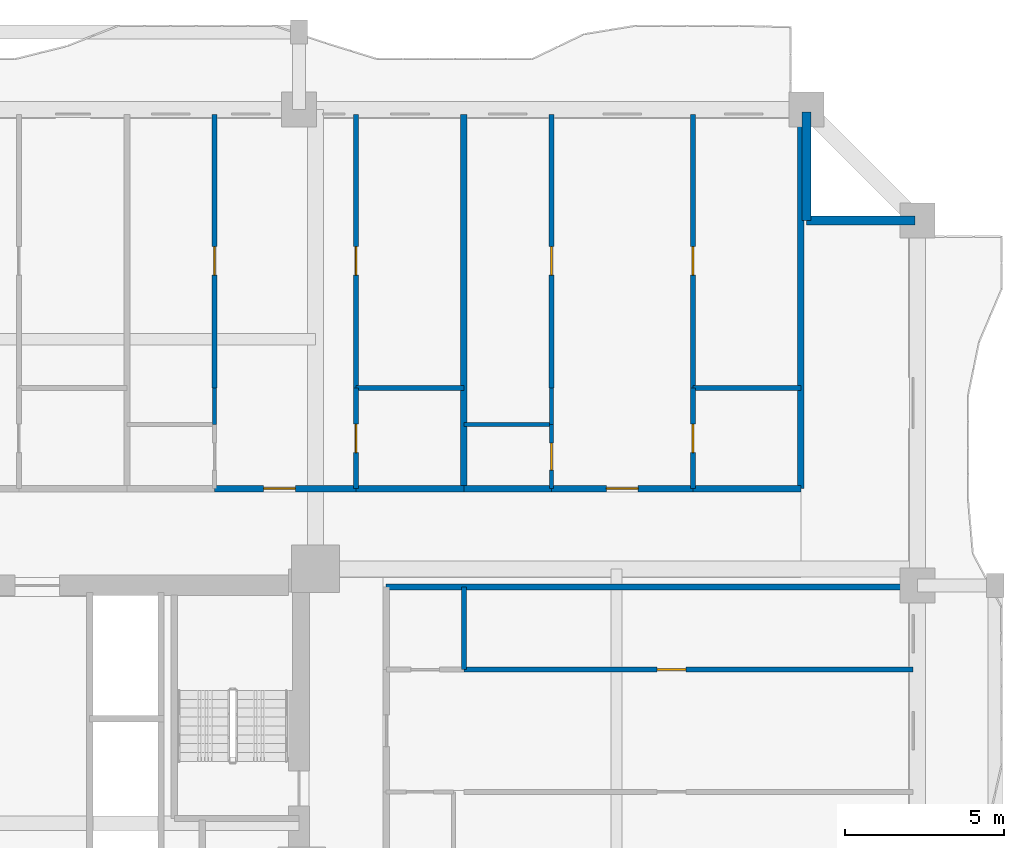
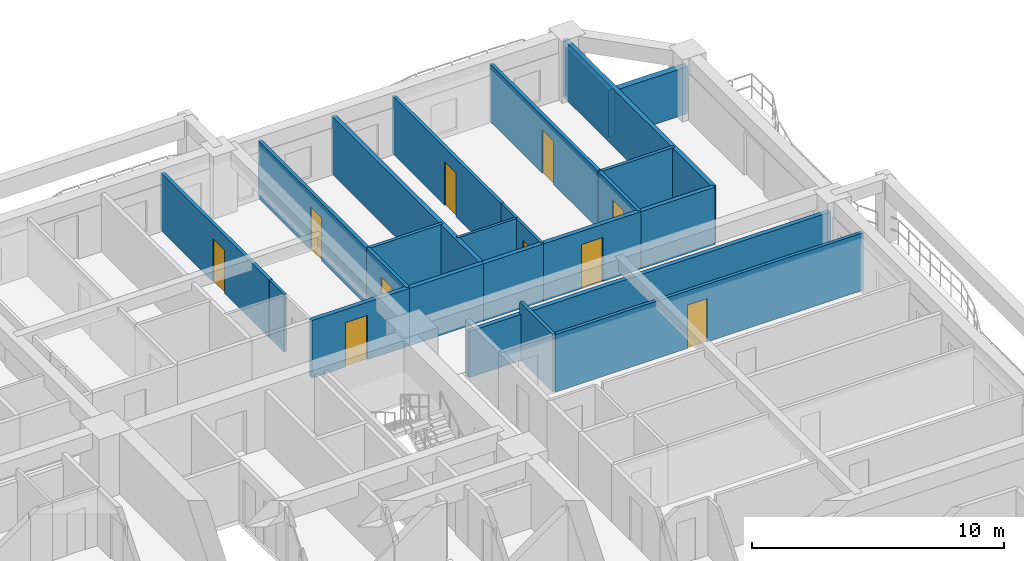
# One storey, part 8 of 16: 24 walls, 10 doors, 10 openings.
"""IFC4 building model written with IfcOpenShell, lengths in metres."""

import ifcopenshell
import ifcopenshell.guid

model = None  # the IFC model being written
_history = None  # IfcOwnerHistory: only IFC2X3 demands one
_inside = {}  # id of a spatial element -> (the spatial element, [elements in it])
_under = {}  # id of a project, library or spatial element -> (it, [spatial elements below it])
_declared = {}  # id of a project -> (the project, [libraries it declares])
_typed = {}  # id of a type object -> (the type object, [elements of that type])
_made_of = {}  # id of a material, layer set ... -> (it, [elements and type objects made of it])


def new_model(schema):
    """Start an empty IFC model of exactly this schema.

    Asked for "IFC4X3", IfcOpenShell would pick the latest addendum, in which some entities
    have other attributes; the version numbers below select the first issue.
    IFC2X3 requires an IfcOwnerHistory on every rooted entity: one is made here for all.
    """
    global model, _history
    if schema == "IFC4X3":
        model = ifcopenshell.file(schema_version=(4, 3, 0, 0))
    else:
        model = ifcopenshell.file(schema=schema)
    _inside.clear()
    _under.clear()
    _declared.clear()
    _typed.clear()
    _made_of.clear()
    _history = None
    if model.schema == "IFC2X3":
        org = make("IfcOrganization", Name="unknown")
        user = make(
            "IfcPersonAndOrganization",
            ThePerson=make("IfcPerson", FamilyName="unknown"),
            TheOrganization=org,
        )
        app = make(
            "IfcApplication",
            ApplicationDeveloper=org,
            Version="unknown",
            ApplicationFullName="unknown",
            ApplicationIdentifier="unknown",
        )
        _history = make(
            "IfcOwnerHistory",
            OwningUser=user,
            OwningApplication=app,
            ChangeAction="ADDED",
            CreationDate=0,
        )
    return model


def make(cls, **values):
    """One entity of the class cls with the attributes given. An attribute that is None is left unset."""
    return model.create_entity(
        cls, **{name: value for name, value in values.items() if value is not None}
    )


def rooted(cls, **values):
    """An entity with a GlobalId (a new one), such as an element, a storey or a relation."""
    return make(cls, GlobalId=ifcopenshell.guid.new(), OwnerHistory=_history, **values)


def si_unit(unit_type, name, prefix=None):
    """IfcSIUnit, for example si_unit("LENGTHUNIT", "METRE", prefix="MILLI")."""
    return make("IfcSIUnit", UnitType=unit_type, Prefix=prefix, Name=name)


def assignment(units):
    """IfcUnitAssignment: the units of a project."""
    return None if units is None else make("IfcUnitAssignment", Units=units)


def point(xyz):
    """IfcCartesianPoint."""
    return None if xyz is None else make("IfcCartesianPoint", Coordinates=xyz)


def direction(xyz):
    """IfcDirection."""
    return None if xyz is None else make("IfcDirection", DirectionRatios=xyz)


def frame(location, z_axis=None, x_axis=None):
    """IfcAxis2Placement3D, a coordinate frame: its origin and axes. An axis left out is left unset."""
    return make(
        "IfcAxis2Placement3D",
        Location=point(location),
        Axis=direction(z_axis),
        RefDirection=direction(x_axis),
    )


def frame_2d(location, x_axis=None):
    """IfcAxis2Placement2D, a coordinate frame in the plane: its origin and x axis."""
    return make(
        "IfcAxis2Placement2D", Location=point(location), RefDirection=direction(x_axis)
    )


def origin():
    """The frame at (0, 0, 0) with its axes left unset."""
    return frame((0.0, 0.0, 0.0))


def place(relative_to, where):
    """IfcLocalPlacement: puts the frame where relative to a parent placement (None: the world)."""
    return make(
        "IfcLocalPlacement", PlacementRelTo=relative_to, RelativePlacement=where
    )


def context(
    kind, dimensions, precision=None, world=None, true_north=None, identifier=None
):
    """IfcGeometricRepresentationContext, for example the 3D "Model" context."""
    return make(
        "IfcGeometricRepresentationContext",
        ContextIdentifier=identifier,
        ContextType=kind,
        CoordinateSpaceDimension=dimensions,
        Precision=precision,
        WorldCoordinateSystem=world,
        TrueNorth=true_north,
    )


def subcontext(parent, identifier, kind, view, scale=None):
    """IfcGeometricRepresentationSubContext, for example "Body" below "Model"."""
    return make(
        "IfcGeometricRepresentationSubContext",
        ContextIdentifier=identifier,
        ContextType=kind,
        ParentContext=parent,
        TargetScale=scale,
        TargetView=view,
    )


def project(units=None, contexts=None):
    """IfcProject with its units and contexts."""
    return rooted(
        "IfcProject",
        Name="project",
        RepresentationContexts=contexts,
        UnitsInContext=assignment(units),
    )


def spatial(cls, under=None, at=None, **own):
    """A site, building, storey or space (cls), placed at a placement, below another one or the project."""
    s = rooted(cls, ObjectPlacement=at, **own)
    if under is not None:
        _under.setdefault(under.id(), (under, []))[1].append(s)
    return s


def profile(cls, at=None, kind="AREA", **sizes):
    """A parametric profile (cls). Its sizes go by their IFC names, for example OverallWidth=200.0."""
    return make(cls, ProfileType=kind, Position=at, **sizes)


def rectangle(**sizes):
    """IfcRectangleProfileDef."""
    return profile("IfcRectangleProfileDef", **sizes)


def extrude(swept, where, along, depth):
    """IfcExtrudedAreaSolid: the profile swept, set in the frame where, extruded along a direction by depth."""
    return make(
        "IfcExtrudedAreaSolid",
        SweptArea=swept,
        Position=where,
        ExtrudedDirection=direction(along),
        Depth=depth,
    )


def shape(context_of_items, identifier, shape_type, items):
    """IfcShapeRepresentation: the items that make up one representation, for example the "Body"."""
    return make(
        "IfcShapeRepresentation",
        ContextOfItems=context_of_items,
        RepresentationIdentifier=identifier,
        RepresentationType=shape_type,
        Items=items,
    )


def source(mapping_origin, context_of_items, identifier, shape_type, items):
    """IfcRepresentationMap: a shape defined once, which mapped items show again and again."""
    return make(
        "IfcRepresentationMap",
        MappingOrigin=mapping_origin,
        MappedRepresentation=shape(context_of_items, identifier, shape_type, items),
    )


def transform(
    local_origin,
    x_axis=None,
    y_axis=None,
    z_axis=None,
    scale=None,
    scale2=None,
    scale3=None,
    uniform=True,
):
    """IfcCartesianTransformationOperator3D, or its non-uniform kind. x_axis, y_axis, z_axis: its Axis1, 2, 3."""
    if uniform:
        return make(
            "IfcCartesianTransformationOperator3D",
            Axis1=direction(x_axis),
            Axis2=direction(y_axis),
            LocalOrigin=point(local_origin),
            Scale=scale,
            Axis3=direction(z_axis),
        )
    return make(
        "IfcCartesianTransformationOperator3DnonUniform",
        Axis1=direction(x_axis),
        Axis2=direction(y_axis),
        LocalOrigin=point(local_origin),
        Scale=scale,
        Axis3=direction(z_axis),
        Scale2=scale2,
        Scale3=scale3,
    )


def mapped(mapping_source, mapping_target):
    """IfcMappedItem: shows the shape of a source again, moved by a transform."""
    return make(
        "IfcMappedItem", MappingSource=mapping_source, MappingTarget=mapping_target
    )


def material(Name=None, Category=None):
    """IfcMaterial."""
    return make("IfcMaterial", Name=Name, Category=Category)


def layer(
    of_material, thickness, ventilated=None, Name=None, Category=None, Priority=None
):
    """IfcMaterialLayer: one layer of a wall or slab, of a material (None: an air gap)."""
    return make(
        "IfcMaterialLayer",
        Material=of_material,
        LayerThickness=thickness,
        IsVentilated=ventilated,
        Name=Name,
        Category=Category,
        Priority=Priority,
    )


def layer_set(layers, Name=None):
    """IfcMaterialLayerSet."""
    return make("IfcMaterialLayerSet", MaterialLayers=layers, LayerSetName=Name)


def made_of(thing, what):
    """Note that an element or type object is made of a material, layer set ...; save() writes the relation."""
    if what is not None:
        _made_of.setdefault(what.id(), (what, []))[1].append(thing)
    return thing


def type_object(cls, material=None, **own):
    """A type object (cls), such as IfcWallType, which elements share."""
    return made_of(rooted(cls, **own), material)


def element(
    cls,
    number,
    at=None,
    inside=None,
    cuts=None,
    type_object=None,
    material=None,
    context=None,
    identifier="Body",
    shape_type=None,
    held_by="IfcProductDefinitionShape",
    body=None,
    shapes=None,
    **own,
):
    """One element of the class cls, such as IfcWall. Its Tag is "e" and its number.

    at: its placement. inside: the storey or other place that contains it. cuts: it is an
    opening in that element (IfcRelVoidsElement). A single representation is given by context,
    identifier, shape_type and body (its items); several are given by shapes. held_by: the class
    of the entity that holds the representations. save() writes the other relations.
    """
    e = rooted(cls, Tag="e%d" % number, ObjectPlacement=at, **own)
    if body is not None:
        shapes = [shape(context, identifier, shape_type, body)]
    if shapes is not None:
        e.Representation = make(held_by, Representations=shapes)
    if inside is not None:
        _inside.setdefault(inside.id(), (inside, []))[1].append(e)
    if cuts is not None:
        rooted(
            "IfcRelVoidsElement", RelatingBuildingElement=cuts, RelatedOpeningElement=e
        )
    if type_object is not None:
        _typed.setdefault(type_object.id(), (type_object, []))[1].append(e)
    return made_of(e, material)


def fill(opening, filler):
    """IfcRelFillsElement: the door or window that sits in an opening."""
    return rooted(
        "IfcRelFillsElement",
        RelatingOpeningElement=opening,
        RelatedBuildingElement=filler,
    )


def aggregate(whole, parts):
    """IfcRelAggregates: a whole, such as a stair, and the parts it consists of."""
    return rooted("IfcRelAggregates", RelatingObject=whole, RelatedObjects=parts)


def save(model, path):
    """Write the relations noted so far, then the file.

    IfcRelAggregates (storeys below a building ...), IfcRelContainedInSpatialStructure (elements
    in a storey), IfcRelDefinesByType, IfcRelAssociatesMaterial and IfcRelDeclares: one each for
    every whole, place, type object, material and project.
    """
    for whole, parts in _under.values():
        aggregate(whole, parts)
    for where, things in _inside.values():
        rooted(
            "IfcRelContainedInSpatialStructure",
            RelatedElements=things,
            RelatingStructure=where,
        )
    for kind, things in _typed.values():
        rooted("IfcRelDefinesByType", RelatedObjects=things, RelatingType=kind)
    for what, things in _made_of.values():
        rooted("IfcRelAssociatesMaterial", RelatedObjects=things, RelatingMaterial=what)
    for by, libraries in _declared.values():
        rooted("IfcRelDeclares", RelatingContext=by, RelatedDefinitions=libraries)
    model.write(path)


model = new_model("IFC4")

# Units and contexts
model_context = context("Model", 3, precision=1e-05, world=origin(), true_north=direction((0.0, 1.0)))
body_context = subcontext(model_context, "Body", "Model", "MODEL_VIEW")
ifc_project = project(units=[si_unit("LENGTHUNIT", "METRE"), si_unit("AREAUNIT", "SQUARE_METRE"), si_unit("VOLUMEUNIT", "CUBIC_METRE"), si_unit("PLANEANGLEUNIT", "RADIAN"), si_unit("MASSUNIT", "GRAM", prefix="KILO")], contexts=[model_context])

# Site, building, storey
site_placement = place(None, origin())
site = spatial("IfcSite", under=ifc_project, at=site_placement, CompositionType="ELEMENT")
building_placement = place(site_placement, origin())
building = spatial("IfcBuilding", under=site, at=building_placement, Name="Saelheon Loggia Tower", CompositionType="ELEMENT")
storey_placement = place(building_placement, frame((0.0, 0.0, 31.39990234375)))
storey = spatial("IfcBuildingStorey", under=building, at=storey_placement, Name="L09", CompositionType="ELEMENT", Elevation=31.39990234375)

# Walls
ifc_material_1 = material(Name="Architectural Precast Concrete C40/50", Category="concrete")
ifc_layer_1 = layer(ifc_material_1, 0.280029296875)
ifc_layer_set_1 = layer_set([ifc_layer_1], Name="Architectural Precast Concrete C40/50")
wall_type_1 = type_object("IfcWallType", Name="Wall_Ext_Loggia_280", PredefinedType="SOLIDWALL", material=ifc_layer_set_1)
for number, where, z_axis, x_axis, name in (
    (1, (60.5, 47.5, 0.0), (0.0, 0.0, 1.0), (0.0, 1.0, 0.0), "L09 Corner Notch Precast Wall NE1"),
    (2, (60.5, 47.5, 0.0), (0.0, 0.0, 1.0), (1.0, 0.0, 0.0), "L09 Corner Notch Precast Wall NE2"),
):
    element("IfcWall", number, at=place(storey_placement, frame(where, z_axis=z_axis, x_axis=x_axis)), inside=storey, type_object=wall_type_1, Name=name, PredefinedType="SOLIDWALL", context=body_context, shape_type="SweptSolid", body=[
        extrude(rectangle(XDim=3.419921875, YDim=0.280029296875, at=frame_2d((1.7099609375, 0.0))), origin(), (0.0, 0.0, 1.0), 2.280029296875),
    ])
ifc_material_2 = material(Name="Lightweight Autoclaved Aerated Concrete Block and Acoustic Gypsum", Category="concrete")
ifc_layer_2 = layer(ifc_material_2, 0.14990234375)
ifc_layer_set_2 = layer_set([ifc_layer_2], Name="Lightweight Autoclaved Aerated Concrete Block and Acoustic Gypsum")
wall_type_2 = type_object("IfcWallType", Name="Wall_Part_150", PredefinedType="PARTITIONING", material=ifc_layer_set_2)
wall_1_placement = place(storey_placement, frame((46.29833984375, 42.219970703125, 0.0), z_axis=(0.0, 0.0, 1.0), x_axis=(1.0, 0.0, 0.0)))
element("IfcWall", 3, at=wall_1_placement, inside=storey, type_object=wall_type_2, Name="L09 N Partition V31", PredefinedType="PARTITIONING", context=body_context, shape_type="SweptSolid", body=[
    extrude(rectangle(XDim=3.399169921875, YDim=0.14990234375, at=frame_2d((1.69970703125, 0.0))), origin(), (0.0, 0.0, 1.0), 2.7900390625),
])

# Wall, opening, door
wall_2_placement = place(storey_placement, frame((41.8369140625, 42.219970703125, 0.0), z_axis=(0.0, 0.0, 1.0), x_axis=(0.0, 1.0, 0.0)))
wall_2 = element("IfcWall", 4, at=wall_2_placement, inside=storey, type_object=wall_type_2, Name="L09 N Partition U34", PredefinedType="PARTITIONING", context=body_context, shape_type="SweptSolid", body=[
    extrude(rectangle(XDim=8.630126953125, YDim=0.14990234375, at=frame_2d((4.31494140625, 0.0))), origin(), (0.0, 0.0, 1.0), 2.7900390625),
])
opening_1_placement = place(wall_2_placement, frame((3.56298828125, 0.0, 0.0)))
opening_1 = element("IfcOpeningElement", 5, at=opening_1_placement, cuts=wall_2, Name="Opening D-IN2", PredefinedType="OPENING", context=body_context, shape_type="SweptSolid", body=[
    extrude(rectangle(XDim=0.89990234375, YDim=2.10009765625, at=frame_2d((0.449951171875, 1.050048828125))), frame((0.0, 0.0869140625, 0.0), z_axis=(0.0, -1.0, 0.0), x_axis=(1.0, 0.0, 0.0)), (0.0, 0.0, 1.0), 0.173828125),
])
ifc_material_3 = material(Name="Engineered Oak Flush Door", Category="timber")
door_type_1 = type_object("IfcDoorType", Name="Door_Int_900", OperationType="NOTDEFINED", PredefinedType="DOOR", material=ifc_material_3)
shared_shape_1 = source(origin(), body_context, "Body", "SweptSolid", [
    extrude(rectangle(XDim=0.89990234375, YDim=2.10009765625, at=frame_2d((0.449951171875, 1.050048828125))), frame((0.0, 0.02490234375, 0.0), z_axis=(0.0, -1.0, 0.0), x_axis=(1.0, 0.0, 0.0)), (0.0, 0.0, 1.0), 0.050048828125),
])
door_1_placement = place(opening_1_placement, origin())
door_1 = element("IfcDoor", 6, at=door_1_placement, inside=storey, type_object=door_type_1, Name="Unit U07 Bedroom 2 Door", OperationType="SINGLE_SWING_LEFT", OverallHeight=2.10009765625, OverallWidth=0.89990234375, PredefinedType="DOOR", context=body_context, shape_type="MappedRepresentation", body=[
    mapped(shared_shape_1, transform((0.0, 0.0, 0.0), scale=1.0)),
])
fill(opening_1, door_1)

wall_3_placement = place(storey_placement, frame((46.29833984375, 39.050048828125, 0.0), z_axis=(0.0, 0.0, 1.0), x_axis=(0.0, 1.0, 0.0)))
wall_3 = element("IfcWall", 7, at=wall_3_placement, inside=storey, type_object=wall_type_2, Name="L09 N Partition U35", PredefinedType="PARTITIONING", context=body_context, shape_type="SweptSolid", body=[
    extrude(rectangle(XDim=3.169921875, YDim=0.14990234375, at=frame_2d((1.5849609375, 0.0))), origin(), (0.0, 0.0, 1.0), 2.7900390625),
])
opening_2_placement = place(wall_3_placement, frame((1.135009765625, 0.0, 0.0)))
opening_2 = element("IfcOpeningElement", 8, at=opening_2_placement, cuts=wall_3, Name="Opening D-IN2", PredefinedType="OPENING", context=body_context, shape_type="SweptSolid", body=[
    extrude(rectangle(XDim=0.89990234375, YDim=2.10009765625, at=frame_2d((0.449951171875, 1.050048828125))), frame((0.0, 0.0869140625, 0.0), z_axis=(0.0, -1.0, 0.0), x_axis=(1.0, 0.0, 0.0)), (0.0, 0.0, 1.0), 0.173828125),
])
door_2_placement = place(opening_2_placement, origin())
door_2 = element("IfcDoor", 9, at=door_2_placement, inside=storey, type_object=door_type_1, Name="Unit U07 Kitchen Door", OperationType="SINGLE_SWING_RIGHT", OverallHeight=2.10009765625, OverallWidth=0.89990234375, PredefinedType="DOOR", context=body_context, shape_type="MappedRepresentation", body=[
    mapped(shared_shape_1, transform((0.0, 0.0, 0.0), scale=1.0)),
])
fill(opening_2, door_2)

wall_4_placement = place(storey_placement, frame((46.29833984375, 42.219970703125, 0.0), z_axis=(0.0, 0.0, 1.0), x_axis=(0.0, 1.0, 0.0)))
wall_4 = element("IfcWall", 10, at=wall_4_placement, inside=storey, type_object=wall_type_2, Name="L09 N Partition U36", PredefinedType="PARTITIONING", context=body_context, shape_type="SweptSolid", body=[
    extrude(rectangle(XDim=8.630126953125, YDim=0.14990234375, at=frame_2d((4.31494140625, 0.0))), origin(), (0.0, 0.0, 1.0), 2.7900390625),
])
opening_3_placement = place(wall_4_placement, frame((3.56298828125, 0.0, 0.0)))
opening_3 = element("IfcOpeningElement", 11, at=opening_3_placement, cuts=wall_4, Name="Opening D-IN2", PredefinedType="OPENING", context=body_context, shape_type="SweptSolid", body=[
    extrude(rectangle(XDim=0.89990234375, YDim=2.10009765625, at=frame_2d((0.449951171875, 1.050048828125))), frame((0.0, 0.0869140625, 0.0), z_axis=(0.0, -1.0, 0.0), x_axis=(1.0, 0.0, 0.0)), (0.0, 0.0, 1.0), 0.173828125),
])
door_3_placement = place(opening_3_placement, origin())
door_3 = element("IfcDoor", 12, at=door_3_placement, inside=storey, type_object=door_type_1, Name="Unit U07 Bedroom 1 Door", OperationType="SINGLE_SWING_LEFT", OverallHeight=2.10009765625, OverallWidth=0.89990234375, PredefinedType="DOOR", context=body_context, shape_type="MappedRepresentation", body=[
    mapped(shared_shape_1, transform((0.0, 0.0, 0.0), scale=1.0)),
])
fill(opening_3, door_3)

# Wall
wall_5_placement = place(storey_placement, frame((56.9208984375, 42.219970703125, 0.0), z_axis=(0.0, 0.0, 1.0), x_axis=(1.0, 0.0, 0.0)))
element("IfcWall", 13, at=wall_5_placement, inside=storey, type_object=wall_type_2, Name="L09 N Partition V42", PredefinedType="PARTITIONING", context=body_context, shape_type="SweptSolid", body=[
    extrude(rectangle(XDim=3.399169921875, YDim=0.14990234375, at=frame_2d((1.69970703125, 0.0))), origin(), (0.0, 0.0, 1.0), 2.7900390625),
])

# Wall, opening, door
wall_6_placement = place(storey_placement, frame((52.45947265625, 42.219970703125, 0.0), z_axis=(0.0, 0.0, 1.0), x_axis=(0.0, 1.0, 0.0)))
wall_6 = element("IfcWall", 14, at=wall_6_placement, inside=storey, type_object=wall_type_2, Name="L09 N Partition U45", PredefinedType="PARTITIONING", context=body_context, shape_type="SweptSolid", body=[
    extrude(rectangle(XDim=8.630126953125, YDim=0.14990234375, at=frame_2d((4.31494140625, 0.0))), origin(), (0.0, 0.0, 1.0), 2.7900390625),
])
opening_4_placement = place(wall_6_placement, frame((3.56298828125, 0.0, 0.0)))
opening_4 = element("IfcOpeningElement", 15, at=opening_4_placement, cuts=wall_6, Name="Opening D-IN2", PredefinedType="OPENING", context=body_context, shape_type="SweptSolid", body=[
    extrude(rectangle(XDim=0.89990234375, YDim=2.10009765625, at=frame_2d((0.449951171875, 1.050048828125))), frame((0.0, 0.0869140625, 0.0), z_axis=(0.0, -1.0, 0.0), x_axis=(1.0, 0.0, 0.0)), (0.0, 0.0, 1.0), 0.173828125),
])
door_4_placement = place(opening_4_placement, origin())
door_4 = element("IfcDoor", 16, at=door_4_placement, inside=storey, type_object=door_type_1, Name="Unit U08 Bedroom 2 Door", OperationType="SINGLE_SWING_RIGHT", OverallHeight=2.10009765625, OverallWidth=0.89990234375, PredefinedType="DOOR", context=body_context, shape_type="MappedRepresentation", body=[
    mapped(shared_shape_1, transform((0.0, 0.0, 0.0), scale=1.0)),
])
fill(opening_4, door_4)

wall_7_placement = place(storey_placement, frame((56.9208984375, 39.050048828125, 0.0), z_axis=(0.0, 0.0, 1.0), x_axis=(0.0, 1.0, 0.0)))
wall_7 = element("IfcWall", 17, at=wall_7_placement, inside=storey, type_object=wall_type_2, Name="L09 N Partition U46", PredefinedType="PARTITIONING", context=body_context, shape_type="SweptSolid", body=[
    extrude(rectangle(XDim=3.169921875, YDim=0.14990234375, at=frame_2d((1.5849609375, 0.0))), origin(), (0.0, 0.0, 1.0), 2.7900390625),
])
opening_5_placement = place(wall_7_placement, frame((1.135009765625, 0.0, 0.0)))
opening_5 = element("IfcOpeningElement", 18, at=opening_5_placement, cuts=wall_7, Name="Opening D-IN2", PredefinedType="OPENING", context=body_context, shape_type="SweptSolid", body=[
    extrude(rectangle(XDim=0.89990234375, YDim=2.10009765625, at=frame_2d((0.449951171875, 1.050048828125))), frame((0.0, 0.0869140625, 0.0), z_axis=(0.0, -1.0, 0.0), x_axis=(1.0, 0.0, 0.0)), (0.0, 0.0, 1.0), 0.173828125),
])
door_5_placement = place(opening_5_placement, origin())
door_5 = element("IfcDoor", 19, at=door_5_placement, inside=storey, type_object=door_type_1, Name="Unit U08 Kitchen Door", OperationType="SINGLE_SWING_LEFT", OverallHeight=2.10009765625, OverallWidth=0.89990234375, PredefinedType="DOOR", context=body_context, shape_type="MappedRepresentation", body=[
    mapped(shared_shape_1, transform((0.0, 0.0, 0.0), scale=1.0)),
])
fill(opening_5, door_5)

wall_8_placement = place(storey_placement, frame((56.9208984375, 42.219970703125, 0.0), z_axis=(0.0, 0.0, 1.0), x_axis=(0.0, 1.0, 0.0)))
wall_8 = element("IfcWall", 20, at=wall_8_placement, inside=storey, type_object=wall_type_2, Name="L09 N Partition U47", PredefinedType="PARTITIONING", context=body_context, shape_type="SweptSolid", body=[
    extrude(rectangle(XDim=8.630126953125, YDim=0.14990234375, at=frame_2d((4.31494140625, 0.0))), origin(), (0.0, 0.0, 1.0), 2.7900390625),
])
opening_6_placement = place(wall_8_placement, frame((3.56298828125, 0.0, 0.0)))
opening_6 = element("IfcOpeningElement", 21, at=opening_6_placement, cuts=wall_8, Name="Opening D-IN2", PredefinedType="OPENING", context=body_context, shape_type="SweptSolid", body=[
    extrude(rectangle(XDim=0.89990234375, YDim=2.10009765625, at=frame_2d((0.449951171875, 1.050048828125))), frame((0.0, 0.0869140625, 0.0), z_axis=(0.0, -1.0, 0.0), x_axis=(1.0, 0.0, 0.0)), (0.0, 0.0, 1.0), 0.173828125),
])
door_6_placement = place(opening_6_placement, origin())
door_6 = element("IfcDoor", 22, at=door_6_placement, inside=storey, type_object=door_type_1, Name="Unit U08 Bedroom 1 Door", OperationType="SINGLE_SWING_RIGHT", OverallHeight=2.10009765625, OverallWidth=0.89990234375, PredefinedType="DOOR", context=body_context, shape_type="MappedRepresentation", body=[
    mapped(shared_shape_1, transform((0.0, 0.0, 0.0), scale=1.0)),
])
fill(opening_6, door_6)

# Wall
wall_9_placement = place(storey_placement, frame((49.699951171875, 33.35009765625, 0.0), z_axis=(0.0, 0.0, 1.0), x_axis=(0.0, 1.0, 0.0)))
element("IfcWall", 23, at=wall_9_placement, inside=storey, type_object=wall_type_2, Name="L09 E Partition V17", PredefinedType="PARTITIONING", context=body_context, shape_type="SweptSolid", body=[
    extrude(rectangle(XDim=2.599853515625, YDim=0.14990234375, at=frame_2d((1.2998046875, 0.0))), origin(), (0.0, 0.0, 1.0), 2.7900390625),
])

# Wall, opening, door
wall_10_placement = place(storey_placement, frame((49.699951171875, 33.35009765625, 0.0), z_axis=(0.0, 0.0, 1.0), x_axis=(1.0, 0.0, 0.0)))
wall_10 = element("IfcWall", 24, at=wall_10_placement, inside=storey, type_object=wall_type_2, Name="L09 E Partition U21", PredefinedType="PARTITIONING", context=body_context, shape_type="SweptSolid", body=[
    extrude(rectangle(XDim=14.150146484375, YDim=0.14990234375, at=frame_2d((7.0751953125, 0.0))), origin(), (0.0, 0.0, 1.0), 2.7900390625),
])
opening_7_placement = place(wall_10_placement, frame((6.093017578125, 0.0, 0.0)))
opening_7 = element("IfcOpeningElement", 25, at=opening_7_placement, cuts=wall_10, Name="Opening D-IN2", PredefinedType="OPENING", context=body_context, shape_type="SweptSolid", body=[
    extrude(rectangle(XDim=0.89990234375, YDim=2.10009765625, at=frame_2d((0.449951171875, 1.050048828125))), frame((0.0, 0.0869140625, 0.0), z_axis=(0.0, -1.0, 0.0), x_axis=(1.0, 0.0, 0.0)), (0.0, 0.0, 1.0), 0.173828125),
])
door_7_placement = place(opening_7_placement, origin())
door_7 = element("IfcDoor", 26, at=door_7_placement, inside=storey, type_object=door_type_1, Name="Unit U13 Bedroom 1 Door", OperationType="SINGLE_SWING_LEFT", OverallHeight=2.10009765625, OverallWidth=0.89990234375, PredefinedType="DOOR", context=body_context, shape_type="MappedRepresentation", body=[
    mapped(shared_shape_1, transform((0.0, 0.0, 0.0), scale=1.0)),
])
fill(opening_7, door_7)

# Wall
ifc_material_4 = material(Name="Double Acoustic Stud and Fireboard Partition", Category="gypsum")
ifc_layer_3 = layer(ifc_material_4, 0.199951171875)
ifc_layer_set_3 = layer_set([ifc_layer_3], Name="Double Acoustic Stud and Fireboard Partition")
wall_type_3 = type_object("IfcWallType", Name="Wall_Party_200", PredefinedType="PARTITIONING", material=ifc_layer_set_3)
wall_11_placement = place(storey_placement, frame((60.320068359375, 39.050048828125, 0.0), z_axis=(0.0, 0.0, 1.0), x_axis=(0.0, 1.0, 0.0)))
element("IfcWall", 27, at=wall_11_placement, inside=storey, type_object=wall_type_3, Name="L09 N Partition U02", PredefinedType="PARTITIONING", context=body_context, shape_type="SweptSolid", body=[
    extrude(rectangle(XDim=11.800048828125, YDim=0.199951171875, at=frame_2d((5.89990234375, 0.0))), origin(), (0.0, 0.0, 1.0), 2.7900390625),
])

# Wall, opening, door
wall_12_placement = place(storey_placement, frame((41.8369140625, 39.050048828125, 0.0), z_axis=(0.0, 0.0, 1.0), x_axis=(1.0, 0.0, 0.0)))
wall_12 = element("IfcWall", 28, at=wall_12_placement, inside=storey, type_object=wall_type_3, Name="L09 N Partition V28", PredefinedType="PARTITIONING", context=body_context, shape_type="SweptSolid", body=[
    extrude(rectangle(XDim=4.46142578125, YDim=0.199951171875, at=frame_2d((2.230712890625, 0.0))), origin(), (0.0, 0.0, 1.0), 2.7900390625),
])
opening_8_placement = place(wall_12_placement, frame((1.546875, 0.0, 0.0)))
opening_8 = element("IfcOpeningElement", 29, at=opening_8_placement, cuts=wall_12, Name="Opening D-FD1", PredefinedType="OPENING", context=body_context, shape_type="SweptSolid", body=[
    extrude(rectangle(XDim=1.0, YDim=2.14990234375, at=frame_2d((0.5, 1.074951171875))), frame((0.0, 0.112060546875, 0.0), z_axis=(0.0, -1.0, 0.0), x_axis=(1.0, 0.0, 0.0)), (0.0, 0.0, 1.0), 0.223876953125),
])
ifc_material_5 = material(Name="Fire-Rated Engineered Timber Entrance Door", Category="wood")
door_type_2 = type_object("IfcDoorType", Name="Door_Flat_FD30S", OperationType="NOTDEFINED", PredefinedType="DOOR", material=ifc_material_5)
shared_shape_2 = source(origin(), body_context, "Body", "SweptSolid", [
    extrude(rectangle(XDim=1.0, YDim=2.14990234375, at=frame_2d((0.5, 1.074951171875))), frame((0.0, 0.02490234375, 0.0), z_axis=(0.0, -1.0, 0.0), x_axis=(1.0, 0.0, 0.0)), (0.0, 0.0, 1.0), 0.050048828125),
])
door_8_placement = place(opening_8_placement, origin())
door_8 = element("IfcDoor", 30, at=door_8_placement, inside=storey, type_object=door_type_2, Name="Unit U07 Entrance Door", OperationType="SINGLE_SWING_LEFT", OverallHeight=2.14990234375, OverallWidth=1.0, PredefinedType="DOOR", context=body_context, shape_type="MappedRepresentation", body=[
    mapped(shared_shape_2, transform((0.0, 0.0, 0.0), scale=1.0)),
])
fill(opening_8, door_8)

# Walls
wall_13_placement = place(storey_placement, frame((46.29833984375, 39.050048828125, 0.0), z_axis=(0.0, 0.0, 1.0), x_axis=(1.0, 0.0, 0.0)))
element("IfcWall", 31, at=wall_13_placement, inside=storey, type_object=wall_type_3, Name="L09 N Partition V29", PredefinedType="PARTITIONING", context=body_context, shape_type="SweptSolid", body=[
    extrude(rectangle(XDim=3.399169921875, YDim=0.199951171875, at=frame_2d((1.69970703125, 0.0))), origin(), (0.0, 0.0, 1.0), 2.7900390625),
])
wall_14_placement = place(storey_placement, frame((49.697509765625, 39.050048828125, 0.0), z_axis=(0.0, 0.0, 1.0), x_axis=(0.0, 1.0, 0.0)))
element("IfcWall", 32, at=wall_14_placement, inside=storey, type_object=wall_type_3, Name="L09 N Partition U37", PredefinedType="PARTITIONING", context=body_context, shape_type="SweptSolid", body=[
    extrude(rectangle(XDim=11.800048828125, YDim=0.199951171875, at=frame_2d((5.89990234375, 0.0))), origin(), (0.0, 0.0, 1.0), 2.7900390625),
])
wall_15_placement = place(storey_placement, frame((49.697509765625, 39.050048828125, 0.0), z_axis=(0.0, 0.0, 1.0), x_axis=(1.0, 0.0, 0.0)))
element("IfcWall", 33, at=wall_15_placement, inside=storey, type_object=wall_type_3, Name="L09 N Partition V38", PredefinedType="PARTITIONING", context=body_context, shape_type="SweptSolid", body=[
    extrude(rectangle(XDim=2.761962890625, YDim=0.199951171875, at=frame_2d((1.380859375, 0.0))), origin(), (0.0, 0.0, 1.0), 2.7900390625),
])

# Wall, opening, door
wall_16_placement = place(storey_placement, frame((52.45947265625, 39.050048828125, 0.0), z_axis=(0.0, 0.0, 1.0), x_axis=(1.0, 0.0, 0.0)))
wall_16 = element("IfcWall", 34, at=wall_16_placement, inside=storey, type_object=wall_type_3, Name="L09 N Partition V39", PredefinedType="PARTITIONING", context=body_context, shape_type="SweptSolid", body=[
    extrude(rectangle(XDim=4.46142578125, YDim=0.199951171875, at=frame_2d((2.230712890625, 0.0))), origin(), (0.0, 0.0, 1.0), 2.7900390625),
])
opening_9_placement = place(wall_16_placement, frame((1.730712890625, 0.0, 0.0)))
opening_9 = element("IfcOpeningElement", 35, at=opening_9_placement, cuts=wall_16, Name="Opening D-FD1", PredefinedType="OPENING", context=body_context, shape_type="SweptSolid", body=[
    extrude(rectangle(XDim=1.0, YDim=2.14990234375, at=frame_2d((0.5, 1.074951171875))), frame((0.0, 0.112060546875, 0.0), z_axis=(0.0, -1.0, 0.0), x_axis=(1.0, 0.0, 0.0)), (0.0, 0.0, 1.0), 0.223876953125),
])
door_9_placement = place(opening_9_placement, origin())
door_9 = element("IfcDoor", 36, at=door_9_placement, inside=storey, type_object=door_type_2, Name="Unit U08 Entrance Door", OperationType="SINGLE_SWING_RIGHT", OverallHeight=2.14990234375, OverallWidth=1.0, PredefinedType="DOOR", context=body_context, shape_type="MappedRepresentation", body=[
    mapped(shared_shape_2, transform((0.0, 0.0, 0.0), scale=1.0)),
])
fill(opening_9, door_9)

# Walls
wall_17_placement = place(storey_placement, frame((56.9208984375, 39.050048828125, 0.0), z_axis=(0.0, 0.0, 1.0), x_axis=(1.0, 0.0, 0.0)))
element("IfcWall", 37, at=wall_17_placement, inside=storey, type_object=wall_type_3, Name="L09 N Partition V40", PredefinedType="PARTITIONING", context=body_context, shape_type="SweptSolid", body=[
    extrude(rectangle(XDim=3.399169921875, YDim=0.199951171875, at=frame_2d((1.69970703125, 0.0))), origin(), (0.0, 0.0, 1.0), 2.7900390625),
])
wall_18_placement = place(storey_placement, frame((47.25, 35.949951171875, 0.0), z_axis=(0.0, 0.0, 1.0), x_axis=(1.0, 0.0, 0.0)))
element("IfcWall", 38, at=wall_18_placement, inside=storey, type_object=wall_type_3, Name="L09 E Partition U02", PredefinedType="PARTITIONING", context=body_context, shape_type="SweptSolid", body=[
    extrude(rectangle(XDim=16.60009765625, YDim=0.199951171875, at=frame_2d((8.300048828125, 0.0))), origin(), (0.0, 0.0, 1.0), 2.239990234375),
])
ifc_material_6 = material(Name="Moisture-Resistant Cement Board Partition", Category="gypsum")
ifc_layer_4 = layer(ifc_material_6, 0.1201171875)
ifc_layer_set_4 = layer_set([ifc_layer_4], Name="Moisture-Resistant Cement Board Partition")
wall_type_4 = type_object("IfcWallType", Name="Wall_WetPart_120", PredefinedType="PARTITIONING", material=ifc_layer_set_4)
wall_19_placement = place(storey_placement, frame((41.8369140625, 41.070068359375, 0.0), z_axis=(0.0, 0.0, 1.0), x_axis=(0.0, 1.0, 0.0)))
element("IfcWall", 39, at=wall_19_placement, inside=storey, type_object=wall_type_4, Name="L09 N Partition U33", PredefinedType="PARTITIONING", context=body_context, shape_type="SweptSolid", body=[
    extrude(rectangle(XDim=1.14990234375, YDim=0.1201171875, at=frame_2d((0.574951171875, 0.0))), origin(), (0.0, 0.0, 1.0), 2.7900390625),
])
wall_20_placement = place(storey_placement, frame((49.697509765625, 41.070068359375, 0.0), z_axis=(0.0, 0.0, 1.0), x_axis=(1.0, 0.0, 0.0)))
element("IfcWall", 40, at=wall_20_placement, inside=storey, type_object=wall_type_4, Name="L09 N Partition V41", PredefinedType="PARTITIONING", context=body_context, shape_type="SweptSolid", body=[
    extrude(rectangle(XDim=2.761962890625, YDim=0.1201171875, at=frame_2d((1.380859375, 0.0))), origin(), (0.0, 0.0, 1.0), 2.7900390625),
])

# Wall, opening, door
wall_21_placement = place(storey_placement, frame((52.45947265625, 39.050048828125, 0.0), z_axis=(0.0, 0.0, 1.0), x_axis=(0.0, 1.0, 0.0)))
wall_21 = element("IfcWall", 41, at=wall_21_placement, inside=storey, type_object=wall_type_4, Name="L09 N Partition U43", PredefinedType="PARTITIONING", context=body_context, shape_type="SweptSolid", body=[
    extrude(rectangle(XDim=2.02001953125, YDim=0.1201171875, at=frame_2d((1.010009765625, 0.0))), origin(), (0.0, 0.0, 1.0), 2.7900390625),
])
opening_10_placement = place(wall_21_placement, frame((0.5849609375, 0.0, 0.0)))
opening_10 = element("IfcOpeningElement", 42, at=opening_10_placement, cuts=wall_21, Name="Opening D-BT1", PredefinedType="OPENING", context=body_context, shape_type="SweptSolid", body=[
    extrude(rectangle(XDim=0.85009765625, YDim=2.050048828125, at=frame_2d((0.425048828125, 1.02490234375))), frame((0.0, 0.072021484375, 0.0), z_axis=(0.0, -1.0, 0.0), x_axis=(1.0, 0.0, 0.0)), (0.0, 0.0, 1.0), 0.14404296875),
])
ifc_material_7 = material(Name="Moisture-Resistant Laminate Timber Door", Category="wood")
door_type_3 = type_object("IfcDoorType", Name="Door_Bath_850", OperationType="NOTDEFINED", PredefinedType="DOOR", material=ifc_material_7)
shared_shape_3 = source(origin(), body_context, "Body", "SweptSolid", [
    extrude(rectangle(XDim=0.85009765625, YDim=2.050048828125, at=frame_2d((0.425048828125, 1.02490234375))), frame((0.0, 0.02490234375, 0.0), z_axis=(0.0, -1.0, 0.0), x_axis=(1.0, 0.0, 0.0)), (0.0, 0.0, 1.0), 0.050048828125),
])
door_10_placement = place(opening_10_placement, origin())
door_10 = element("IfcDoor", 43, at=door_10_placement, inside=storey, type_object=door_type_3, Name="Unit U08 Bathroom Door", OperationType="SINGLE_SWING_LEFT", OverallHeight=2.050048828125, OverallWidth=0.85009765625, PredefinedType="DOOR", context=body_context, shape_type="MappedRepresentation", body=[
    mapped(shared_shape_3, transform((0.0, 0.0, 0.0), scale=1.0)),
])
fill(opening_10, door_10)

# Wall
wall_22_placement = place(storey_placement, frame((52.45947265625, 41.070068359375, 0.0), z_axis=(0.0, 0.0, 1.0), x_axis=(0.0, 1.0, 0.0)))
element("IfcWall", 44, at=wall_22_placement, inside=storey, type_object=wall_type_4, Name="L09 N Partition U44", PredefinedType="PARTITIONING", context=body_context, shape_type="SweptSolid", body=[
    extrude(rectangle(XDim=1.14990234375, YDim=0.1201171875, at=frame_2d((0.574951171875, 0.0))), origin(), (0.0, 0.0, 1.0), 2.7900390625),
])

save(model, "model.ifc")
